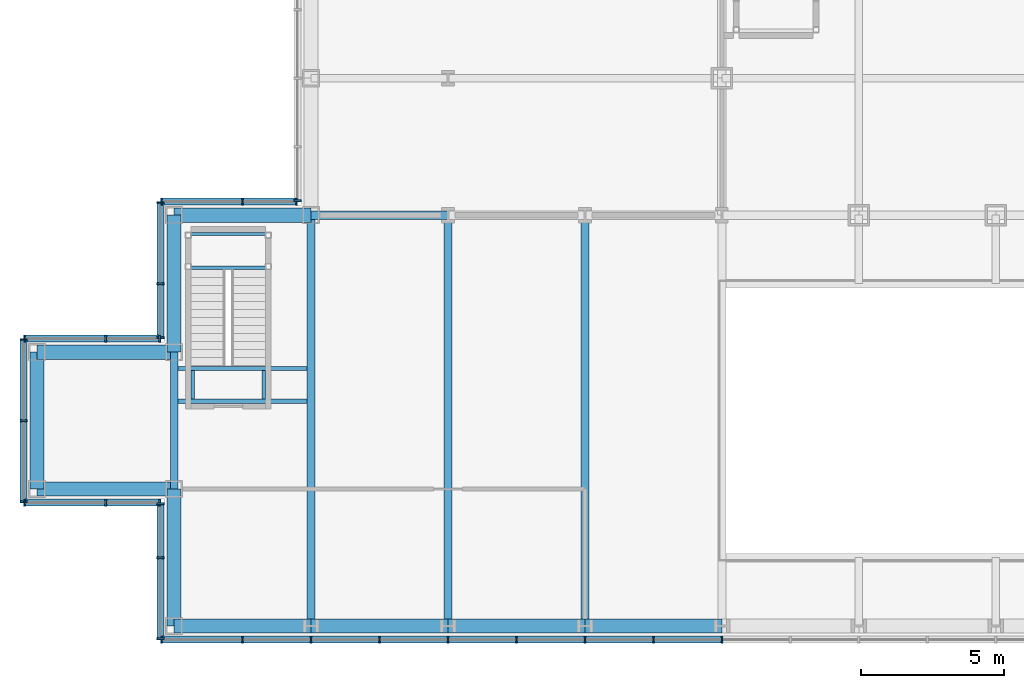
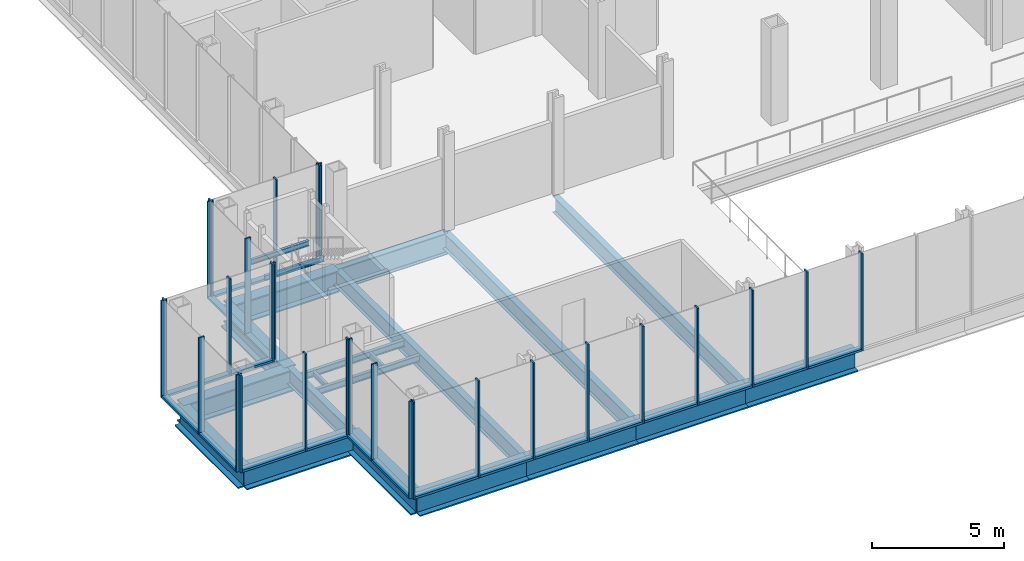
# One storey, part 11 of 25: 48 members, 21 beams, 8 elements without a shape of their own.
"""IFC4 building model written with IfcOpenShell, lengths in metres."""

from ifc_helpers import new_model, si_unit, direction, frame, origin, origin_2d, place, context, subcontext, project, spatial, rectangle, i_section, extrude, material, material_profile, profile_set, type_object, element, aggregate, save


model = new_model("IFC4")

# Units and contexts
model_context = context("Model", 3, precision=1e-05, world=origin(), true_north=direction((0.0, 1.0)))
body_context = subcontext(model_context, "Body", "Model", "MODEL_VIEW")
ifc_project = project(units=[si_unit("LENGTHUNIT", "METRE"), si_unit("AREAUNIT", "SQUARE_METRE"), si_unit("VOLUMEUNIT", "CUBIC_METRE"), si_unit("PLANEANGLEUNIT", "RADIAN"), si_unit("MASSUNIT", "GRAM", prefix="KILO")], contexts=[model_context])

# Site, building, storey
site_placement = place(None, origin())
site = spatial("IfcSite", under=ifc_project, at=site_placement, CompositionType="ELEMENT")
building_placement = place(site_placement, origin())
building = spatial("IfcBuilding", under=site, at=building_placement, Name="Kvirike Care Tower", CompositionType="ELEMENT")
storey_placement = place(building_placement, frame((0.0, 0.0, 9.0)))
storey = spatial("IfcBuildingStorey", under=building, at=storey_placement, Name="L02", CompositionType="ELEMENT", Elevation=9.0)

# Curtain wall, members
ifc_material_1 = material(Name="Anodised aluminium stick system", Category="aluminium")
curtain_wall_type = type_object("IfcCurtainWallType", Name="CW-P PODIUM STICK CURTAIN WALL", PredefinedType="NOTDEFINED", material=ifc_material_1)
curtain_wall_1_placement = place(storey_placement, origin())
curtain_wall_1 = element("IfcCurtainWall", 1, at=curtain_wall_1_placement, inside=storey, type_object=curtain_wall_type, Name="Curtain wall L02 face 1", PredefinedType="NOTDEFINED")
ifc_material_2 = material(Name="Bronze anodised aluminium mullion", Category="aluminium")
ifc_material_profile_1 = material_profile(ifc_material_2, rectangle(XDim=0.06494140625, YDim=0.25, at=origin_2d()), Name="CW-P MULLION 65x250")
ifc_profile_set_1 = profile_set([ifc_material_profile_1], Name="Bronze anodised aluminium mullion")
member_type_1 = type_object("IfcMemberType", Name="CW-P MULLION 65x250", PredefinedType="MULLION", material=ifc_profile_set_1)
member_1_placement = place(storey_placement, frame((-5.242431640625, -0.47509765625, 0.0), z_axis=(0.0, 0.0, 1.0), x_axis=(1.0, 0.0, 0.0)))
member_1 = element("IfcMember", 2, at=member_1_placement, type_object=member_type_1, Name="CW-P mullion L02 face 1.1", PredefinedType="MULLION", context=body_context, shape_type="SweptSolid", body=[
    extrude(rectangle(XDim=0.06494140625, YDim=0.25, at=origin_2d()), origin(), (0.0, 0.0, 1.0), 4.5),
])
member_2_placement = place(storey_placement, frame((-2.39990234375, -0.47509765625, 0.0), z_axis=(0.0, 0.0, 1.0), x_axis=(1.0, 0.0, 0.0)))
member_2 = element("IfcMember", 3, at=member_2_placement, type_object=member_type_1, Name="CW-P mullion L02 face 1.2", PredefinedType="MULLION", context=body_context, shape_type="SweptSolid", body=[
    extrude(rectangle(XDim=0.06494140625, YDim=0.25, at=origin_2d()), origin(), (0.0, 0.0, 1.0), 4.5),
])
member_3_placement = place(storey_placement, frame((0.0, -0.47509765625, 0.0), z_axis=(0.0, 0.0, 1.0), x_axis=(1.0, 0.0, 0.0)))
member_3 = element("IfcMember", 4, at=member_3_placement, type_object=member_type_1, Name="CW-P mullion L02 face 1.3", PredefinedType="MULLION", context=body_context, shape_type="SweptSolid", body=[
    extrude(rectangle(XDim=0.06494140625, YDim=0.25, at=origin_2d()), origin(), (0.0, 0.0, 1.0), 4.5),
])
member_4_placement = place(storey_placement, frame((2.39990234375, -0.47509765625, 0.0), z_axis=(0.0, 0.0, 1.0), x_axis=(1.0, 0.0, 0.0)))
member_4 = element("IfcMember", 5, at=member_4_placement, type_object=member_type_1, Name="CW-P mullion L02 face 1.4", PredefinedType="MULLION", context=body_context, shape_type="SweptSolid", body=[
    extrude(rectangle(XDim=0.06494140625, YDim=0.25, at=origin_2d()), origin(), (0.0, 0.0, 1.0), 4.5),
])
member_5_placement = place(storey_placement, frame((4.800048828125, -0.47509765625, 0.0), z_axis=(0.0, 0.0, 1.0), x_axis=(1.0, 0.0, 0.0)))
member_5 = element("IfcMember", 6, at=member_5_placement, type_object=member_type_1, Name="CW-P mullion L02 face 1.5", PredefinedType="MULLION", context=body_context, shape_type="SweptSolid", body=[
    extrude(rectangle(XDim=0.06494140625, YDim=0.25, at=origin_2d()), origin(), (0.0, 0.0, 1.0), 4.5),
])
member_6_placement = place(storey_placement, frame((7.199951171875, -0.47509765625, 0.0), z_axis=(0.0, 0.0, 1.0), x_axis=(1.0, 0.0, 0.0)))
member_6 = element("IfcMember", 7, at=member_6_placement, type_object=member_type_1, Name="CW-P mullion L02 face 1.6", PredefinedType="MULLION", context=body_context, shape_type="SweptSolid", body=[
    extrude(rectangle(XDim=0.06494140625, YDim=0.25, at=origin_2d()), origin(), (0.0, 0.0, 1.0), 4.5),
])
member_7_placement = place(storey_placement, frame((9.60009765625, -0.47509765625, 0.0), z_axis=(0.0, 0.0, 1.0), x_axis=(1.0, 0.0, 0.0)))
member_7 = element("IfcMember", 8, at=member_7_placement, type_object=member_type_1, Name="CW-P mullion L02 face 1.7", PredefinedType="MULLION", context=body_context, shape_type="SweptSolid", body=[
    extrude(rectangle(XDim=0.06494140625, YDim=0.25, at=origin_2d()), origin(), (0.0, 0.0, 1.0), 4.5),
])
member_8_placement = place(storey_placement, frame((12.0, -0.47509765625, 0.0), z_axis=(0.0, 0.0, 1.0), x_axis=(1.0, 0.0, 0.0)))
member_8 = element("IfcMember", 9, at=member_8_placement, type_object=member_type_1, Name="CW-P mullion L02 face 1.8", PredefinedType="MULLION", context=body_context, shape_type="SweptSolid", body=[
    extrude(rectangle(XDim=0.06494140625, YDim=0.25, at=origin_2d()), origin(), (0.0, 0.0, 1.0), 4.5),
])
member_9_placement = place(storey_placement, frame((14.39990234375, -0.47509765625, 0.0), z_axis=(0.0, 0.0, 1.0), x_axis=(1.0, 0.0, 0.0)))
member_9 = element("IfcMember", 10, at=member_9_placement, type_object=member_type_1, Name="CW-P mullion L02 face 1.9", PredefinedType="MULLION", context=body_context, shape_type="SweptSolid", body=[
    extrude(rectangle(XDim=0.06494140625, YDim=0.25, at=origin_2d()), origin(), (0.0, 0.0, 1.0), 4.5),
])

# Curtain wall, member
curtain_wall_2_placement = place(storey_placement, origin())
curtain_wall_2 = element("IfcCurtainWall", 11, at=curtain_wall_2_placement, inside=storey, type_object=curtain_wall_type, Name="Curtain wall L02 face 14", PredefinedType="NOTDEFINED")
member_10_placement = place(storey_placement, frame((-0.47509765625, 14.907470703125, 0.0), z_axis=(0.0, 0.0, 1.0), x_axis=(0.0, -1.0, 0.0)))
member_10 = element("IfcMember", 12, at=member_10_placement, type_object=member_type_1, Name="CW-P mullion L02 face 14.17", PredefinedType="MULLION", context=body_context, shape_type="SweptSolid", body=[
    extrude(rectangle(XDim=0.06494140625, YDim=0.25, at=origin_2d()), origin(), (0.0, 0.0, 1.0), 4.5),
])
aggregate(curtain_wall_2, [member_10])

# Curtain wall, members
curtain_wall_3_placement = place(storey_placement, origin())
curtain_wall_3 = element("IfcCurtainWall", 13, at=curtain_wall_3_placement, inside=storey, type_object=curtain_wall_type, Name="Curtain wall L02 face 15", PredefinedType="NOTDEFINED")
member_11_placement = place(storey_placement, frame((-0.507568359375, 14.875, 0.0), z_axis=(0.0, 0.0, 1.0), x_axis=(-1.0, 0.0, 0.0)))
member_11 = element("IfcMember", 14, at=member_11_placement, type_object=member_type_1, Name="CW-P mullion L02 face 15.1", PredefinedType="MULLION", context=body_context, shape_type="SweptSolid", body=[
    extrude(rectangle(XDim=0.06494140625, YDim=0.25, at=origin_2d()), origin(), (0.0, 0.0, 1.0), 4.5),
])
member_12_placement = place(storey_placement, frame((-2.39990234375, 14.875, 0.0), z_axis=(0.0, 0.0, 1.0), x_axis=(-1.0, 0.0, 0.0)))
member_12 = element("IfcMember", 15, at=member_12_placement, type_object=member_type_1, Name="CW-P mullion L02 face 15.2", PredefinedType="MULLION", context=body_context, shape_type="SweptSolid", body=[
    extrude(rectangle(XDim=0.06494140625, YDim=0.25, at=origin_2d()), origin(), (0.0, 0.0, 1.0), 4.5),
])
member_13_placement = place(storey_placement, frame((-5.242431640625, 14.875, 0.0), z_axis=(0.0, 0.0, 1.0), x_axis=(-1.0, 0.0, 0.0)))
member_13 = element("IfcMember", 16, at=member_13_placement, type_object=member_type_1, Name="CW-P mullion L02 face 15.3", PredefinedType="MULLION", context=body_context, shape_type="SweptSolid", body=[
    extrude(rectangle(XDim=0.06494140625, YDim=0.25, at=origin_2d()), origin(), (0.0, 0.0, 1.0), 4.5),
])

curtain_wall_4_placement = place(storey_placement, origin())
curtain_wall_4 = element("IfcCurtainWall", 17, at=curtain_wall_4_placement, inside=storey, type_object=curtain_wall_type, Name="Curtain wall L02 face 16", PredefinedType="NOTDEFINED")
member_14_placement = place(storey_placement, frame((-5.27490234375, 14.842529296875, 0.0), z_axis=(0.0, 0.0, 1.0), x_axis=(0.0, -1.0, 0.0)))
member_14 = element("IfcMember", 18, at=member_14_placement, type_object=member_type_1, Name="CW-P mullion L02 face 16.1", PredefinedType="MULLION", context=body_context, shape_type="SweptSolid", body=[
    extrude(rectangle(XDim=0.06494140625, YDim=0.25, at=origin_2d()), origin(), (0.0, 0.0, 1.0), 4.5),
])
member_15_placement = place(storey_placement, frame((-5.27490234375, 12.0, 0.0), z_axis=(0.0, 0.0, 1.0), x_axis=(0.0, -1.0, 0.0)))
member_15 = element("IfcMember", 19, at=member_15_placement, type_object=member_type_1, Name="CW-P mullion L02 face 16.2", PredefinedType="MULLION", context=body_context, shape_type="SweptSolid", body=[
    extrude(rectangle(XDim=0.06494140625, YDim=0.25, at=origin_2d()), origin(), (0.0, 0.0, 1.0), 4.5),
])
member_16_placement = place(storey_placement, frame((-5.27490234375, 10.107421875, 0.0), z_axis=(0.0, 0.0, 1.0), x_axis=(0.0, -1.0, 0.0)))
member_16 = element("IfcMember", 20, at=member_16_placement, type_object=member_type_1, Name="CW-P mullion L02 face 16.3", PredefinedType="MULLION", context=body_context, shape_type="SweptSolid", body=[
    extrude(rectangle(XDim=0.06494140625, YDim=0.25, at=origin_2d()), origin(), (0.0, 0.0, 1.0), 4.5),
])

curtain_wall_5_placement = place(storey_placement, origin())
curtain_wall_5 = element("IfcCurtainWall", 21, at=curtain_wall_5_placement, inside=storey, type_object=curtain_wall_type, Name="Curtain wall L02 face 17", PredefinedType="NOTDEFINED")
member_17_placement = place(storey_placement, frame((-5.3076171875, 10.074951171875, 0.0), z_axis=(0.0, 0.0, 1.0), x_axis=(-1.0, 0.0, 0.0)))
member_17 = element("IfcMember", 22, at=member_17_placement, type_object=member_type_1, Name="CW-P mullion L02 face 17.1", PredefinedType="MULLION", context=body_context, shape_type="SweptSolid", body=[
    extrude(rectangle(XDim=0.06494140625, YDim=0.25, at=origin_2d()), origin(), (0.0, 0.0, 1.0), 4.5),
])
member_18_placement = place(storey_placement, frame((-7.199951171875, 10.074951171875, 0.0), z_axis=(0.0, 0.0, 1.0), x_axis=(-1.0, 0.0, 0.0)))
member_18 = element("IfcMember", 23, at=member_18_placement, type_object=member_type_1, Name="CW-P mullion L02 face 17.2", PredefinedType="MULLION", context=body_context, shape_type="SweptSolid", body=[
    extrude(rectangle(XDim=0.06494140625, YDim=0.25, at=origin_2d()), origin(), (0.0, 0.0, 1.0), 4.5),
])
member_19_placement = place(storey_placement, frame((-10.04248046875, 10.074951171875, 0.0), z_axis=(0.0, 0.0, 1.0), x_axis=(-1.0, 0.0, 0.0)))
member_19 = element("IfcMember", 24, at=member_19_placement, type_object=member_type_1, Name="CW-P mullion L02 face 17.3", PredefinedType="MULLION", context=body_context, shape_type="SweptSolid", body=[
    extrude(rectangle(XDim=0.06494140625, YDim=0.25, at=origin_2d()), origin(), (0.0, 0.0, 1.0), 4.5),
])

curtain_wall_6_placement = place(storey_placement, origin())
curtain_wall_6 = element("IfcCurtainWall", 25, at=curtain_wall_6_placement, inside=storey, type_object=curtain_wall_type, Name="Curtain wall L02 face 18", PredefinedType="NOTDEFINED")
member_20_placement = place(storey_placement, frame((-10.074951171875, 10.04248046875, 0.0), z_axis=(0.0, 0.0, 1.0), x_axis=(0.0, -1.0, 0.0)))
member_20 = element("IfcMember", 26, at=member_20_placement, type_object=member_type_1, Name="CW-P mullion L02 face 18.1", PredefinedType="MULLION", context=body_context, shape_type="SweptSolid", body=[
    extrude(rectangle(XDim=0.06494140625, YDim=0.25, at=origin_2d()), origin(), (0.0, 0.0, 1.0), 4.5),
])
member_21_placement = place(storey_placement, frame((-10.074951171875, 7.199951171875, 0.0), z_axis=(0.0, 0.0, 1.0), x_axis=(0.0, -1.0, 0.0)))
member_21 = element("IfcMember", 27, at=member_21_placement, type_object=member_type_1, Name="CW-P mullion L02 face 18.2", PredefinedType="MULLION", context=body_context, shape_type="SweptSolid", body=[
    extrude(rectangle(XDim=0.06494140625, YDim=0.25, at=origin_2d()), origin(), (0.0, 0.0, 1.0), 4.5),
])
member_22_placement = place(storey_placement, frame((-10.074951171875, 4.357421875, 0.0), z_axis=(0.0, 0.0, 1.0), x_axis=(0.0, -1.0, 0.0)))
member_22 = element("IfcMember", 28, at=member_22_placement, type_object=member_type_1, Name="CW-P mullion L02 face 18.3", PredefinedType="MULLION", context=body_context, shape_type="SweptSolid", body=[
    extrude(rectangle(XDim=0.06494140625, YDim=0.25, at=origin_2d()), origin(), (0.0, 0.0, 1.0), 4.5),
])

curtain_wall_7_placement = place(storey_placement, origin())
curtain_wall_7 = element("IfcCurtainWall", 29, at=curtain_wall_7_placement, inside=storey, type_object=curtain_wall_type, Name="Curtain wall L02 face 19", PredefinedType="NOTDEFINED")
member_23_placement = place(storey_placement, frame((-10.04248046875, 4.324951171875, 0.0), z_axis=(0.0, 0.0, 1.0), x_axis=(1.0, 0.0, 0.0)))
member_23 = element("IfcMember", 30, at=member_23_placement, type_object=member_type_1, Name="CW-P mullion L02 face 19.1", PredefinedType="MULLION", context=body_context, shape_type="SweptSolid", body=[
    extrude(rectangle(XDim=0.06494140625, YDim=0.25, at=origin_2d()), origin(), (0.0, 0.0, 1.0), 4.5),
])
member_24_placement = place(storey_placement, frame((-7.199951171875, 4.324951171875, 0.0), z_axis=(0.0, 0.0, 1.0), x_axis=(1.0, 0.0, 0.0)))
member_24 = element("IfcMember", 31, at=member_24_placement, type_object=member_type_1, Name="CW-P mullion L02 face 19.2", PredefinedType="MULLION", context=body_context, shape_type="SweptSolid", body=[
    extrude(rectangle(XDim=0.06494140625, YDim=0.25, at=origin_2d()), origin(), (0.0, 0.0, 1.0), 4.5),
])
member_25_placement = place(storey_placement, frame((-5.3076171875, 4.324951171875, 0.0), z_axis=(0.0, 0.0, 1.0), x_axis=(1.0, 0.0, 0.0)))
member_25 = element("IfcMember", 32, at=member_25_placement, type_object=member_type_1, Name="CW-P mullion L02 face 19.3", PredefinedType="MULLION", context=body_context, shape_type="SweptSolid", body=[
    extrude(rectangle(XDim=0.06494140625, YDim=0.25, at=origin_2d()), origin(), (0.0, 0.0, 1.0), 4.5),
])

curtain_wall_8_placement = place(storey_placement, origin())
curtain_wall_8 = element("IfcCurtainWall", 33, at=curtain_wall_8_placement, inside=storey, type_object=curtain_wall_type, Name="Curtain wall L02 face 20", PredefinedType="NOTDEFINED")
member_26_placement = place(storey_placement, frame((-5.27490234375, 4.29248046875, 0.0), z_axis=(0.0, 0.0, 1.0), x_axis=(0.0, -1.0, 0.0)))
member_26 = element("IfcMember", 34, at=member_26_placement, type_object=member_type_1, Name="CW-P mullion L02 face 20.1", PredefinedType="MULLION", context=body_context, shape_type="SweptSolid", body=[
    extrude(rectangle(XDim=0.06494140625, YDim=0.25, at=origin_2d()), origin(), (0.0, 0.0, 1.0), 4.5),
])
member_27_placement = place(storey_placement, frame((-5.27490234375, 2.39990234375, 0.0), z_axis=(0.0, 0.0, 1.0), x_axis=(0.0, -1.0, 0.0)))
member_27 = element("IfcMember", 35, at=member_27_placement, type_object=member_type_1, Name="CW-P mullion L02 face 20.2", PredefinedType="MULLION", context=body_context, shape_type="SweptSolid", body=[
    extrude(rectangle(XDim=0.06494140625, YDim=0.25, at=origin_2d()), origin(), (0.0, 0.0, 1.0), 4.5),
])
member_28_placement = place(storey_placement, frame((-5.27490234375, -0.4423828125, 0.0), z_axis=(0.0, 0.0, 1.0), x_axis=(0.0, -1.0, 0.0)))
member_28 = element("IfcMember", 36, at=member_28_placement, type_object=member_type_1, Name="CW-P mullion L02 face 20.3", PredefinedType="MULLION", context=body_context, shape_type="SweptSolid", body=[
    extrude(rectangle(XDim=0.06494140625, YDim=0.25, at=origin_2d()), origin(), (0.0, 0.0, 1.0), 4.5),
])

# Member
ifc_material_3 = material(Name="Bronze anodised aluminium transom", Category="aluminium")
ifc_material_profile_2 = material_profile(ifc_material_3, rectangle(XDim=0.25, YDim=0.10009765625, at=origin_2d()), Name="CW-P TRANSOM 250x100")
ifc_profile_set_2 = profile_set([ifc_material_profile_2], Name="Bronze anodised aluminium transom")
member_type_2 = type_object("IfcMemberType", Name="CW-P TRANSOM 250x100", PredefinedType="USERDEFINED", material=ifc_profile_set_2)
member_29_placement = place(storey_placement, frame((-5.2099609375, -0.47509765625, 0.050048828125), z_axis=(1.0, 0.0, 0.0), x_axis=(0.0, 1.0, 0.0)))
member_29 = element("IfcMember", 37, at=member_29_placement, type_object=member_type_2, Name="CW-P sill transom L02 face 1.1", ObjectType="TRANSOM", PredefinedType="USERDEFINED", context=body_context, shape_type="SweptSolid", body=[
    extrude(rectangle(XDim=0.25, YDim=0.10009765625, at=origin_2d()), origin(), (0.0, 0.0, 1.0), 2.77734375),
])

member_30_placement = place(storey_placement, frame((-2.367431640625, -0.47509765625, 0.050048828125), z_axis=(1.0, 0.0, 0.0), x_axis=(0.0, 1.0, 0.0)))
member_30 = element("IfcMember", 38, at=member_30_placement, type_object=member_type_2, Name="CW-P sill transom L02 face 1.2", ObjectType="TRANSOM", PredefinedType="USERDEFINED", context=body_context, shape_type="SweptSolid", body=[
    extrude(rectangle(XDim=0.25, YDim=0.10009765625, at=origin_2d()), origin(), (0.0, 0.0, 1.0), 2.3349609375),
])

member_31_placement = place(storey_placement, frame((0.032470703125, -0.47509765625, 0.050048828125), z_axis=(1.0, 0.0, 0.0), x_axis=(0.0, 1.0, 0.0)))
member_31 = element("IfcMember", 39, at=member_31_placement, type_object=member_type_2, Name="CW-P sill transom L02 face 1.3", ObjectType="TRANSOM", PredefinedType="USERDEFINED", context=body_context, shape_type="SweptSolid", body=[
    extrude(rectangle(XDim=0.25, YDim=0.10009765625, at=origin_2d()), origin(), (0.0, 0.0, 1.0), 2.3349609375),
])

member_32_placement = place(storey_placement, frame((2.4326171875, -0.47509765625, 0.050048828125), z_axis=(1.0, 0.0, 0.0), x_axis=(0.0, 1.0, 0.0)))
member_32 = element("IfcMember", 40, at=member_32_placement, type_object=member_type_2, Name="CW-P sill transom L02 face 1.4", ObjectType="TRANSOM", PredefinedType="USERDEFINED", context=body_context, shape_type="SweptSolid", body=[
    extrude(rectangle(XDim=0.25, YDim=0.10009765625, at=origin_2d()), origin(), (0.0, 0.0, 1.0), 2.3349609375),
])

member_33_placement = place(storey_placement, frame((4.83251953125, -0.47509765625, 0.050048828125), z_axis=(1.0, 0.0, 0.0), x_axis=(0.0, 1.0, 0.0)))
member_33 = element("IfcMember", 41, at=member_33_placement, type_object=member_type_2, Name="CW-P sill transom L02 face 1.5", ObjectType="TRANSOM", PredefinedType="USERDEFINED", context=body_context, shape_type="SweptSolid", body=[
    extrude(rectangle(XDim=0.25, YDim=0.10009765625, at=origin_2d()), origin(), (0.0, 0.0, 1.0), 2.3349609375),
])

member_34_placement = place(storey_placement, frame((7.232421875, -0.47509765625, 0.050048828125), z_axis=(1.0, 0.0, 0.0), x_axis=(0.0, 1.0, 0.0)))
member_34 = element("IfcMember", 42, at=member_34_placement, type_object=member_type_2, Name="CW-P sill transom L02 face 1.6", ObjectType="TRANSOM", PredefinedType="USERDEFINED", context=body_context, shape_type="SweptSolid", body=[
    extrude(rectangle(XDim=0.25, YDim=0.10009765625, at=origin_2d()), origin(), (0.0, 0.0, 1.0), 2.3349609375),
])

member_35_placement = place(storey_placement, frame((9.632568359375, -0.47509765625, 0.050048828125), z_axis=(1.0, 0.0, 0.0), x_axis=(0.0, 1.0, 0.0)))
member_35 = element("IfcMember", 43, at=member_35_placement, type_object=member_type_2, Name="CW-P sill transom L02 face 1.7", ObjectType="TRANSOM", PredefinedType="USERDEFINED", context=body_context, shape_type="SweptSolid", body=[
    extrude(rectangle(XDim=0.25, YDim=0.10009765625, at=origin_2d()), origin(), (0.0, 0.0, 1.0), 2.3349609375),
])

member_36_placement = place(storey_placement, frame((12.032470703125, -0.47509765625, 0.050048828125), z_axis=(1.0, 0.0, 0.0), x_axis=(0.0, 1.0, 0.0)))
member_36 = element("IfcMember", 44, at=member_36_placement, type_object=member_type_2, Name="CW-P sill transom L02 face 1.8", ObjectType="TRANSOM", PredefinedType="USERDEFINED", context=body_context, shape_type="SweptSolid", body=[
    extrude(rectangle(XDim=0.25, YDim=0.10009765625, at=origin_2d()), origin(), (0.0, 0.0, 1.0), 2.3349609375),
])

aggregate(curtain_wall_1, [member_1, member_2, member_3, member_4, member_5, member_6, member_7, member_8, member_9, member_29, member_30, member_31, member_32, member_33, member_34, member_35, member_36])

member_37_placement = place(storey_placement, frame((-0.5400390625, 14.875, 0.050048828125), z_axis=(-1.0, 0.0, 0.0), x_axis=(0.0, -1.0, 0.0)))
member_37 = element("IfcMember", 45, at=member_37_placement, type_object=member_type_2, Name="CW-P sill transom L02 face 15.1", ObjectType="TRANSOM", PredefinedType="USERDEFINED", context=body_context, shape_type="SweptSolid", body=[
    extrude(rectangle(XDim=0.25, YDim=0.10009765625, at=origin_2d()), origin(), (0.0, 0.0, 1.0), 1.827392578125),
])

member_38_placement = place(storey_placement, frame((-2.4326171875, 14.875, 0.050048828125), z_axis=(-1.0, 0.0, 0.0), x_axis=(0.0, -1.0, 0.0)))
member_38 = element("IfcMember", 46, at=member_38_placement, type_object=member_type_2, Name="CW-P sill transom L02 face 15.2", ObjectType="TRANSOM", PredefinedType="USERDEFINED", context=body_context, shape_type="SweptSolid", body=[
    extrude(rectangle(XDim=0.25, YDim=0.10009765625, at=origin_2d()), origin(), (0.0, 0.0, 1.0), 2.77734375),
])

aggregate(curtain_wall_3, [member_11, member_12, member_13, member_37, member_38])

member_39_placement = place(storey_placement, frame((-5.27490234375, 14.81005859375, 0.050048828125), z_axis=(0.0, -1.0, 0.0), x_axis=(1.0, 0.0, 0.0)))
member_39 = element("IfcMember", 47, at=member_39_placement, type_object=member_type_2, Name="CW-P sill transom L02 face 16.1", ObjectType="TRANSOM", PredefinedType="USERDEFINED", context=body_context, shape_type="SweptSolid", body=[
    extrude(rectangle(XDim=0.25, YDim=0.10009765625, at=origin_2d()), origin(), (0.0, 0.0, 1.0), 2.777587890625),
])

member_40_placement = place(storey_placement, frame((-5.27490234375, 11.967529296875, 0.050048828125), z_axis=(0.0, -1.0, 0.0), x_axis=(1.0, 0.0, 0.0)))
member_40 = element("IfcMember", 48, at=member_40_placement, type_object=member_type_2, Name="CW-P sill transom L02 face 16.2", ObjectType="TRANSOM", PredefinedType="USERDEFINED", context=body_context, shape_type="SweptSolid", body=[
    extrude(rectangle(XDim=0.25, YDim=0.10009765625, at=origin_2d()), origin(), (0.0, 0.0, 1.0), 1.82763671875),
])

aggregate(curtain_wall_4, [member_14, member_15, member_16, member_39, member_40])

member_41_placement = place(storey_placement, frame((-5.340087890625, 10.074951171875, 0.050048828125), z_axis=(-1.0, 0.0, 0.0), x_axis=(0.0, -1.0, 0.0)))
member_41 = element("IfcMember", 49, at=member_41_placement, type_object=member_type_2, Name="CW-P sill transom L02 face 17.1", ObjectType="TRANSOM", PredefinedType="USERDEFINED", context=body_context, shape_type="SweptSolid", body=[
    extrude(rectangle(XDim=0.25, YDim=0.10009765625, at=origin_2d()), origin(), (0.0, 0.0, 1.0), 1.827392578125),
])

member_42_placement = place(storey_placement, frame((-7.232421875, 10.074951171875, 0.050048828125), z_axis=(-1.0, 0.0, 0.0), x_axis=(0.0, -1.0, 0.0)))
member_42 = element("IfcMember", 50, at=member_42_placement, type_object=member_type_2, Name="CW-P sill transom L02 face 17.2", ObjectType="TRANSOM", PredefinedType="USERDEFINED", context=body_context, shape_type="SweptSolid", body=[
    extrude(rectangle(XDim=0.25, YDim=0.10009765625, at=origin_2d()), origin(), (0.0, 0.0, 1.0), 2.777587890625),
])

aggregate(curtain_wall_5, [member_17, member_18, member_19, member_41, member_42])

member_43_placement = place(storey_placement, frame((-10.074951171875, 10.010009765625, 0.050048828125), z_axis=(0.0, -1.0, 0.0), x_axis=(1.0, 0.0, 0.0)))
member_43 = element("IfcMember", 51, at=member_43_placement, type_object=member_type_2, Name="CW-P sill transom L02 face 18.1", ObjectType="TRANSOM", PredefinedType="USERDEFINED", context=body_context, shape_type="SweptSolid", body=[
    extrude(rectangle(XDim=0.25, YDim=0.10009765625, at=origin_2d()), origin(), (0.0, 0.0, 1.0), 2.777587890625),
])

member_44_placement = place(storey_placement, frame((-10.074951171875, 7.16748046875, 0.050048828125), z_axis=(0.0, -1.0, 0.0), x_axis=(1.0, 0.0, 0.0)))
member_44 = element("IfcMember", 52, at=member_44_placement, type_object=member_type_2, Name="CW-P sill transom L02 face 18.2", ObjectType="TRANSOM", PredefinedType="USERDEFINED", context=body_context, shape_type="SweptSolid", body=[
    extrude(rectangle(XDim=0.25, YDim=0.10009765625, at=origin_2d()), origin(), (0.0, 0.0, 1.0), 2.777587890625),
])

aggregate(curtain_wall_6, [member_20, member_21, member_22, member_43, member_44])

member_45_placement = place(storey_placement, frame((-10.010009765625, 4.324951171875, 0.050048828125), z_axis=(1.0, 0.0, 0.0), x_axis=(0.0, 1.0, 0.0)))
member_45 = element("IfcMember", 53, at=member_45_placement, type_object=member_type_2, Name="CW-P sill transom L02 face 19.1", ObjectType="TRANSOM", PredefinedType="USERDEFINED", context=body_context, shape_type="SweptSolid", body=[
    extrude(rectangle(XDim=0.25, YDim=0.10009765625, at=origin_2d()), origin(), (0.0, 0.0, 1.0), 2.777587890625),
])

member_46_placement = place(storey_placement, frame((-7.16748046875, 4.324951171875, 0.050048828125), z_axis=(1.0, 0.0, 0.0), x_axis=(0.0, 1.0, 0.0)))
member_46 = element("IfcMember", 54, at=member_46_placement, type_object=member_type_2, Name="CW-P sill transom L02 face 19.2", ObjectType="TRANSOM", PredefinedType="USERDEFINED", context=body_context, shape_type="SweptSolid", body=[
    extrude(rectangle(XDim=0.25, YDim=0.10009765625, at=origin_2d()), origin(), (0.0, 0.0, 1.0), 1.827392578125),
])

aggregate(curtain_wall_7, [member_23, member_24, member_25, member_45, member_46])

member_47_placement = place(storey_placement, frame((-5.27490234375, 4.260009765625, 0.050048828125), z_axis=(0.0, -1.0, 0.0), x_axis=(1.0, 0.0, 0.0)))
member_47 = element("IfcMember", 55, at=member_47_placement, type_object=member_type_2, Name="CW-P sill transom L02 face 20.1", ObjectType="TRANSOM", PredefinedType="USERDEFINED", context=body_context, shape_type="SweptSolid", body=[
    extrude(rectangle(XDim=0.25, YDim=0.10009765625, at=origin_2d()), origin(), (0.0, 0.0, 1.0), 1.827392578125),
])

member_48_placement = place(storey_placement, frame((-5.27490234375, 2.367431640625, 0.050048828125), z_axis=(0.0, -1.0, 0.0), x_axis=(1.0, 0.0, 0.0)))
member_48 = element("IfcMember", 56, at=member_48_placement, type_object=member_type_2, Name="CW-P sill transom L02 face 20.2", ObjectType="TRANSOM", PredefinedType="USERDEFINED", context=body_context, shape_type="SweptSolid", body=[
    extrude(rectangle(XDim=0.25, YDim=0.10009765625, at=origin_2d()), origin(), (0.0, 0.0, 1.0), 2.77734375),
])

aggregate(curtain_wall_8, [member_26, member_27, member_28, member_47, member_48])

# Beams
ifc_material_4 = material(Name="Steel S355", Category="steel")
ifc_material_profile_3 = material_profile(ifc_material_4, i_section(OverallWidth=0.26806640625, OverallDepth=0.77001953125, WebThickness=0.015625, FlangeThickness=0.025390625, FilletRadius=0.01708984375, at=origin_2d()), Name="IPE 750x196")
ifc_profile_set_3 = profile_set([ifc_material_profile_3], Name="Steel S355")
beam_type_1 = type_object("IfcBeamType", Name="FLOOR BEAM IPE 750x196", PredefinedType="BEAM", material=ifc_profile_set_3)
beam_1_placement = place(storey_placement, frame((-4.800048828125, 4.800048828125, -0.554931640625), z_axis=(0.0, 1.0, 0.0), x_axis=(-1.0, 0.0, 0.0)))
element("IfcBeam", 57, at=beam_1_placement, inside=storey, type_object=beam_type_1, Name="Floor Beam B2-C2 L02", PredefinedType="BEAM", context=body_context, shape_type="SweptSolid", body=[
    extrude(i_section(OverallWidth=0.26806640625, OverallDepth=0.77001953125, WebThickness=0.015625, FlangeThickness=0.025390625, FilletRadius=0.01708984375, at=origin_2d()), origin(), (0.0, 0.0, 1.0), 4.800048828125),
])
for number, where, z_axis, x_axis, name in (
    (58, (0.0, 0.0, -0.554931640625), (0.0, 1.0, 0.0), (-1.0, 0.0, 0.0), "Floor Beam A3-D3 L02"),
    (59, (4.800048828125, 0.0, -0.554931640625), (0.0, 1.0, 0.0), (-1.0, 0.0, 0.0), "Floor Beam A4-D4 L02"),
    (60, (9.60009765625, 0.0, -0.554931640625), (0.0, 1.0, 0.0), (-1.0, 0.0, 0.0), "Floor Beam A5-D5 L02"),
):
    element("IfcBeam", number, at=place(storey_placement, frame(where, z_axis=z_axis, x_axis=x_axis)), inside=storey, type_object=beam_type_1, Name=name, PredefinedType="BEAM", context=body_context, shape_type="SweptSolid", body=[
        extrude(i_section(OverallWidth=0.26806640625, OverallDepth=0.77001953125, WebThickness=0.015625, FlangeThickness=0.025390625, FilletRadius=0.01708984375, at=origin_2d()), origin(), (0.0, 0.0, 1.0), 14.39990234375),
    ])
ifc_material_5 = material(Name="Steel S355", Category="steel")
ifc_material_profile_4 = material_profile(ifc_material_5, i_section(OverallWidth=0.300048828125, OverallDepth=1.0, WebThickness=0.01904296875, FlangeThickness=0.035888671875, FilletRadius=0.030029296875, at=origin_2d()), Name="HE 1000 B")
ifc_profile_set_4 = profile_set([ifc_material_profile_4], Name="Steel S355")
beam_type_2 = type_object("IfcBeamType", Name="FRAME BEAM HE 1000 B", PredefinedType="BEAM", material=ifc_profile_set_4)
beam_2_placement = place(storey_placement, frame((0.0, 14.39990234375, -0.669921875), z_axis=(1.0, 0.0, 0.0), x_axis=(0.0, 1.0, 0.0)))
element("IfcBeam", 61, at=beam_2_placement, inside=storey, type_object=beam_type_2, Name="Frame Beam D3-D4 L02", PredefinedType="BEAM", context=body_context, shape_type="SweptSolid", body=[
    extrude(i_section(OverallWidth=0.300048828125, OverallDepth=1.0, WebThickness=0.01904296875, FlangeThickness=0.035888671875, FilletRadius=0.030029296875, at=origin_2d()), origin(), (0.0, 0.0, 1.0), 4.800048828125),
])
ifc_material_6 = material(Name="Steel S355", Category="steel")
ifc_material_profile_5 = material_profile(ifc_material_6, i_section(OverallWidth=0.5, OverallDepth=1.0, WebThickness=0.030029296875, FlangeThickness=0.06005859375, at=origin_2d()), Name="PG 1000x500x30x60")
ifc_profile_set_5 = profile_set([ifc_material_profile_5], Name="Steel S355")
beam_type_3 = type_object("IfcBeamType", Name="SPANDREL PG 1000x500x30x60", PredefinedType="SPANDREL", material=ifc_profile_set_5)
for number, where, z_axis, x_axis, name in (
    (62, (-4.800048828125, 0.0, -0.669921875), (1.0, 0.0, 0.0), (0.0, 1.0, 0.0), "Spandrel A2-A3 L02"),
    (63, (0.0, 0.0, -0.669921875), (1.0, 0.0, 0.0), (0.0, 1.0, 0.0), "Spandrel A3-A4 L02"),
    (64, (4.800048828125, 0.0, -0.669921875), (1.0, 0.0, 0.0), (0.0, 1.0, 0.0), "Spandrel A4-A5 L02"),
):
    element("IfcBeam", number, at=place(storey_placement, frame(where, z_axis=z_axis, x_axis=x_axis)), inside=storey, type_object=beam_type_3, Name=name, PredefinedType="SPANDREL", context=body_context, shape_type="SweptSolid", body=[
        extrude(i_section(OverallWidth=0.5, OverallDepth=1.0, WebThickness=0.030029296875, FlangeThickness=0.06005859375, at=origin_2d()), origin(), (0.0, 0.0, 1.0), 4.800048828125),
    ])
beam_3_placement = place(storey_placement, frame((9.60009765625, 0.0, -0.669921875), z_axis=(1.0, 0.0, 0.0), x_axis=(0.0, 1.0, 0.0)))
element("IfcBeam", 65, at=beam_3_placement, inside=storey, type_object=beam_type_3, Name="Spandrel A5-A6 L02", PredefinedType="SPANDREL", context=body_context, shape_type="SweptSolid", body=[
    extrude(i_section(OverallWidth=0.5, OverallDepth=1.0, WebThickness=0.030029296875, FlangeThickness=0.06005859375, at=origin_2d()), origin(), (0.0, 0.0, 1.0), 4.7998046875),
])
for number, where, z_axis, x_axis, name in (
    (66, (-9.60009765625, 4.800048828125, -0.669921875), (1.0, 0.0, 0.0), (0.0, 1.0, 0.0), "Spandrel B1-B2 L02"),
    (67, (-9.60009765625, 9.60009765625, -0.669921875), (1.0, 0.0, 0.0), (0.0, 1.0, 0.0), "Spandrel C1-C2 L02"),
    (68, (-4.800048828125, 14.39990234375, -0.669921875), (1.0, 0.0, 0.0), (0.0, 1.0, 0.0), "Spandrel D2-D3 L02"),
    (69, (-9.60009765625, 4.800048828125, -0.669921875), (0.0, 1.0, 0.0), (-1.0, 0.0, 0.0), "Spandrel B1-C1 L02"),
    (70, (-4.800048828125, 0.0, -0.669921875), (0.0, 1.0, 0.0), (-1.0, 0.0, 0.0), "Spandrel A2-B2 L02"),
):
    element("IfcBeam", number, at=place(storey_placement, frame(where, z_axis=z_axis, x_axis=x_axis)), inside=storey, type_object=beam_type_3, Name=name, PredefinedType="SPANDREL", context=body_context, shape_type="SweptSolid", body=[
        extrude(i_section(OverallWidth=0.5, OverallDepth=1.0, WebThickness=0.030029296875, FlangeThickness=0.06005859375, at=origin_2d()), origin(), (0.0, 0.0, 1.0), 4.800048828125),
    ])
beam_4_placement = place(storey_placement, frame((-4.800048828125, 9.60009765625, -0.669921875), z_axis=(0.0, 1.0, 0.0), x_axis=(-1.0, 0.0, 0.0)))
element("IfcBeam", 71, at=beam_4_placement, inside=storey, type_object=beam_type_3, Name="Spandrel C2-D2 L02", PredefinedType="SPANDREL", context=body_context, shape_type="SweptSolid", body=[
    extrude(i_section(OverallWidth=0.5, OverallDepth=1.0, WebThickness=0.030029296875, FlangeThickness=0.06005859375, at=origin_2d()), origin(), (0.0, 0.0, 1.0), 4.7998046875),
])
ifc_material_7 = material(Name="Steel S355", Category="steel")
ifc_material_profile_6 = material_profile(ifc_material_7, i_section(OverallWidth=0.1201171875, OverallDepth=0.239990234375, WebThickness=0.006103515625, FlangeThickness=0.009765625, FilletRadius=0.014892578125, at=origin_2d()), Name="IPE 240")
ifc_profile_set_6 = profile_set([ifc_material_profile_6], Name="Steel S355")
beam_type_4 = type_object("IfcBeamType", Name="STAIR LANDING BEAM IPE 240", PredefinedType="BEAM", material=ifc_profile_set_6)
for number, where, z_axis, x_axis, name in (
    (72, (-4.199951171875, 13.739990234375, 1.929931640625), (1.0, 0.0, 0.0), (0.0, 1.0, 0.0), "Stair 3 landing beam back L02"),
    (73, (-4.199951171875, 12.56005859375, 1.929931640625), (1.0, 0.0, 0.0), (0.0, 1.0, 0.0), "Stair 3 landing beam front L02"),
):
    element("IfcBeam", number, at=place(storey_placement, frame(where, z_axis=z_axis, x_axis=x_axis)), inside=storey, type_object=beam_type_4, Name=name, PredefinedType="BEAM", context=body_context, shape_type="SweptSolid", body=[
        extrude(i_section(OverallWidth=0.1201171875, OverallDepth=0.239990234375, WebThickness=0.006103515625, FlangeThickness=0.009765625, FilletRadius=0.014892578125, at=origin_2d()), origin(), (0.0, 0.0, 1.0), 2.599853515625),
    ])
for number, where, z_axis, x_axis, name in (
    (74, (-4.139892578125, 8.949951171875, -0.320068359375), (0.0, -1.0, 0.0), (1.0, 0.0, 0.0), "Stair 3 landing edge beam 1 L02"),
    (75, (-1.659912109375, 8.949951171875, -0.320068359375), (0.0, -1.0, 0.0), (1.0, 0.0, 0.0), "Stair 3 landing edge beam 2 L02"),
):
    element("IfcBeam", number, at=place(storey_placement, frame(where, z_axis=z_axis, x_axis=x_axis)), inside=storey, type_object=beam_type_4, Name=name, PredefinedType="BEAM", context=body_context, shape_type="SweptSolid", body=[
        extrude(i_section(OverallWidth=0.1201171875, OverallDepth=0.239990234375, WebThickness=0.006103515625, FlangeThickness=0.009765625, FilletRadius=0.014892578125, at=origin_2d()), origin(), (0.0, 0.0, 1.0), 1.0),
    ])
ifc_material_8 = material(Name="Steel S355", Category="steel")
ifc_material_profile_7 = material_profile(ifc_material_8, i_section(OverallWidth=0.14990234375, OverallDepth=0.300048828125, WebThickness=0.007080078125, FlangeThickness=0.0107421875, FilletRadius=0.014892578125, at=origin_2d()), Name="IPE 300")
ifc_profile_set_7 = profile_set([ifc_material_profile_7], Name="Steel S355")
beam_type_5 = type_object("IfcBeamType", Name="STAIR TRIMMER IPE 300", PredefinedType="BEAM", material=ifc_profile_set_7)
for number, where, z_axis, x_axis, name in (
    (76, (-4.666015625, 9.02490234375, -0.35009765625), (1.0, 0.0, 0.0), (0.0, 1.0, 0.0), "Stair 3 trimmer 1 L02"),
    (77, (-4.666015625, 7.875, -0.35009765625), (1.0, 0.0, 0.0), (0.0, 1.0, 0.0), "Stair 3 trimmer 2 L02"),
):
    element("IfcBeam", number, at=place(storey_placement, frame(where, z_axis=z_axis, x_axis=x_axis)), inside=storey, type_object=beam_type_5, Name=name, PredefinedType="BEAM", context=body_context, shape_type="SweptSolid", body=[
        extrude(i_section(OverallWidth=0.14990234375, OverallDepth=0.300048828125, WebThickness=0.007080078125, FlangeThickness=0.0107421875, FilletRadius=0.014892578125, at=origin_2d()), origin(), (0.0, 0.0, 1.0), 4.531982421875),
    ])

save(model, "model.ifc")
